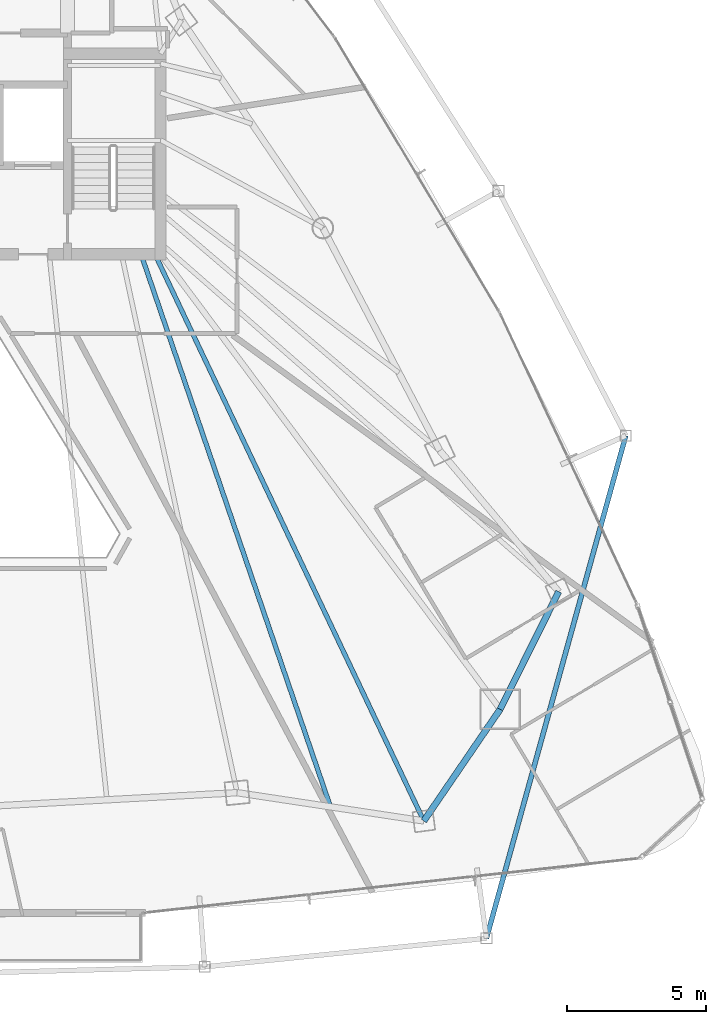
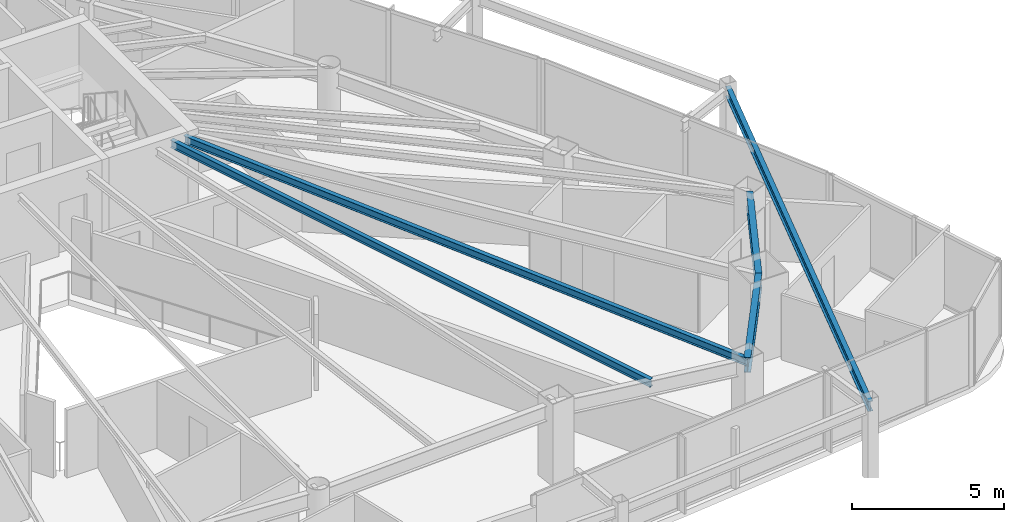
# One storey, part 13 of 33: 5 beams.
"""IFC4 building model written with IfcOpenShell, lengths in metres."""

from ifc_helpers import new_model, si_unit, direction, frame, origin, origin_2d, place, context, subcontext, project, spatial, i_section, extrude, material, material_profile, profile_set, type_object, element, save


model = new_model("IFC4")

# Units and contexts
model_context = context("Model", 3, precision=1e-05, world=origin(), true_north=direction((0.0, 1.0)))
body_context = subcontext(model_context, "Body", "Model", "MODEL_VIEW")
ifc_project = project(units=[si_unit("LENGTHUNIT", "METRE"), si_unit("AREAUNIT", "SQUARE_METRE"), si_unit("VOLUMEUNIT", "CUBIC_METRE"), si_unit("PLANEANGLEUNIT", "RADIAN"), si_unit("MASSUNIT", "GRAM", prefix="KILO")], contexts=[model_context])

# Site, building, storey
site_placement = place(None, origin())
site = spatial("IfcSite", under=ifc_project, at=site_placement, CompositionType="ELEMENT")
building_placement = place(site_placement, origin())
building = spatial("IfcBuilding", under=site, at=building_placement, Name="Orvanel Arch Residences", CompositionType="ELEMENT")
storey_placement = place(building_placement, frame((0.0, 0.0, 116.60009765625)))
storey = spatial("IfcBuildingStorey", under=building, at=storey_placement, Name="L32", CompositionType="ELEMENT", Elevation=116.60009765625)

# Beams
ifc_material = material(Name="Structural steel AS/NZS 3679.1 Grade 300 (300 MPa)", Category="steel")
ifc_material_profile_1 = material_profile(ifc_material, i_section(OverallWidth=0.1650390625, OverallDepth=0.303955078125, WebThickness=0.006103515625, FlangeThickness=0.01025390625, at=origin_2d()), Name="310UB40.4")
ifc_profile_set_1 = profile_set([ifc_material_profile_1], Name="Structural steel AS/NZS 3679.1 Grade 300 (300 MPa)")
beam_type_1 = type_object("IfcBeamType", Name="BJ-310UB", PredefinedType="JOIST", material=ifc_profile_set_1)
beam_1_placement = place(storey_placement, frame((39.39990234375, 26.699951171875, 2.907958984375), z_axis=(0.428614365266, -0.903487534993, 0.0), x_axis=(0.903487534993, 0.428614365266, 0.0)))
element("IfcBeam", 1, at=beam_1_placement, inside=storey, type_object=beam_type_1, Name="L32 MSE Wing Floor Joist", PredefinedType="JOIST", context=body_context, shape_type="SweptSolid", body=[
    extrude(i_section(OverallWidth=0.1650390625, OverallDepth=0.303955078125, WebThickness=0.006103515625, FlangeThickness=0.01025390625, at=origin_2d()), origin(), (0.0, 0.0, 1.0), 22.535888671875),
])
beam_2_placement = place(storey_placement, frame((38.89990234375, 26.699951171875, 2.907958984375), z_axis=(0.324257108963, -0.945968988544, 0.0), x_axis=(0.945968988544, 0.324257108963, 0.0)))
element("IfcBeam", 2, at=beam_2_placement, inside=storey, type_object=beam_type_1, Name="L32 JADD2 Wing Floor Joist", PredefinedType="JOIST", context=body_context, shape_type="SweptSolid", body=[
    extrude(i_section(OverallWidth=0.1650390625, OverallDepth=0.303955078125, WebThickness=0.006103515625, FlangeThickness=0.01025390625, at=origin_2d()), origin(), (0.0, 0.0, 1.0), 20.987060546875),
])
ifc_material_profile_2 = material_profile(ifc_material, i_section(OverallWidth=0.177978515625, OverallDepth=0.406005859375, WebThickness=0.0078125, FlangeThickness=0.0126953125, at=origin_2d()), Name="410UB59.7")
ifc_profile_set_2 = profile_set([ifc_material_profile_2], Name="Structural steel AS/NZS 3679.1 Grade 300 (300 MPa)")
beam_type_2 = type_object("IfcBeamType", Name="OB-410UB-EXT", PredefinedType="SPANDREL", material=ifc_profile_set_2)
beam_3_placement = place(storey_placement, frame((51.30908203125, 2.125, 2.85693359375), z_axis=(0.267151256857, 0.963654609266, 0.0), x_axis=(-0.963654609266, 0.267151256857, 0.0)))
element("IfcBeam", 3, at=beam_3_placement, inside=storey, type_object=beam_type_2, Name="L32 Outer Perimeter Floor Ring Beam 08", PredefinedType="SPANDREL", context=body_context, shape_type="SweptSolid", body=[
    extrude(i_section(OverallWidth=0.177978515625, OverallDepth=0.406005859375, WebThickness=0.0078125, FlangeThickness=0.0126953125, at=origin_2d()), origin(), (0.0, 0.0, 1.0), 18.738037109375),
])
ifc_material_profile_3 = material_profile(ifc_material, i_section(OverallWidth=0.22900390625, OverallDepth=0.612060546875, WebThickness=0.011962890625, FlangeThickness=0.01953125, at=origin_2d()), Name="610UB125")
ifc_profile_set_3 = profile_set([ifc_material_profile_3], Name="Structural steel AS/NZS 3679.1 Grade 300 (300 MPa)")
beam_type_3 = type_object("IfcBeamType", Name="SP-610UB", PredefinedType="SPANDREL", material=ifc_profile_set_3)
beam_4_placement = place(storey_placement, frame((49.05908203125, 6.339111328125, 2.75390625), z_axis=(0.564251579852, 0.825602903722, 0.0), x_axis=(-0.825602903722, 0.564251579852, 0.0)))
element("IfcBeam", 4, at=beam_4_placement, inside=storey, type_object=beam_type_3, Name="L32 Perimeter Spandrel Beam 08", PredefinedType="SPANDREL", context=body_context, shape_type="SweptSolid", body=[
    extrude(i_section(OverallWidth=0.22900390625, OverallDepth=0.612060546875, WebThickness=0.011962890625, FlangeThickness=0.01953125, at=origin_2d()), origin(), (0.0, 0.0, 1.0), 4.859375),
])
beam_5_placement = place(storey_placement, frame((51.801025390625, 10.35107421875, 2.75390625), z_axis=(0.44543469453, 0.895314432425, 0.0), x_axis=(-0.895314432425, 0.44543469453, 0.0)))
element("IfcBeam", 5, at=beam_5_placement, inside=storey, type_object=beam_type_3, Name="L32 Perimeter Spandrel Beam 09", PredefinedType="SPANDREL", context=body_context, shape_type="SweptSolid", body=[
    extrude(i_section(OverallWidth=0.22900390625, OverallDepth=0.612060546875, WebThickness=0.011962890625, FlangeThickness=0.01953125, at=origin_2d()), origin(), (0.0, 0.0, 1.0), 4.723388671875),
])

save(model, "model.ifc")
